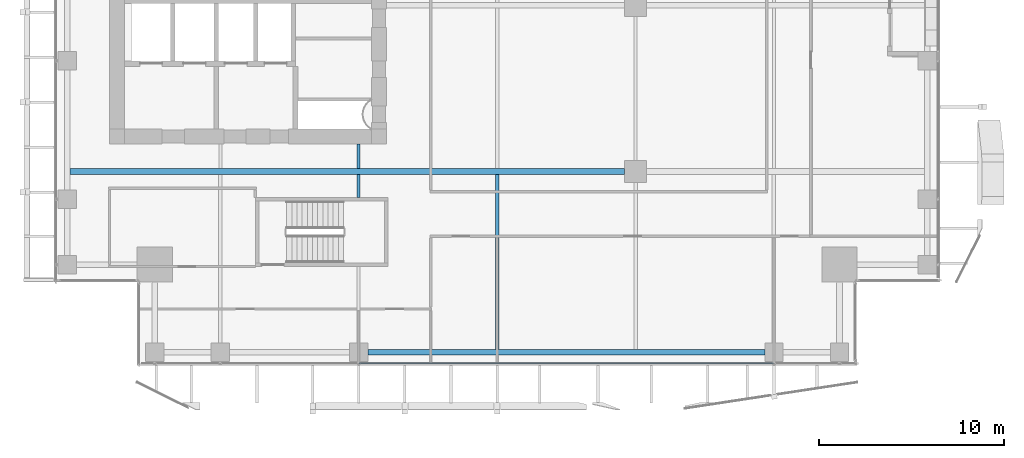
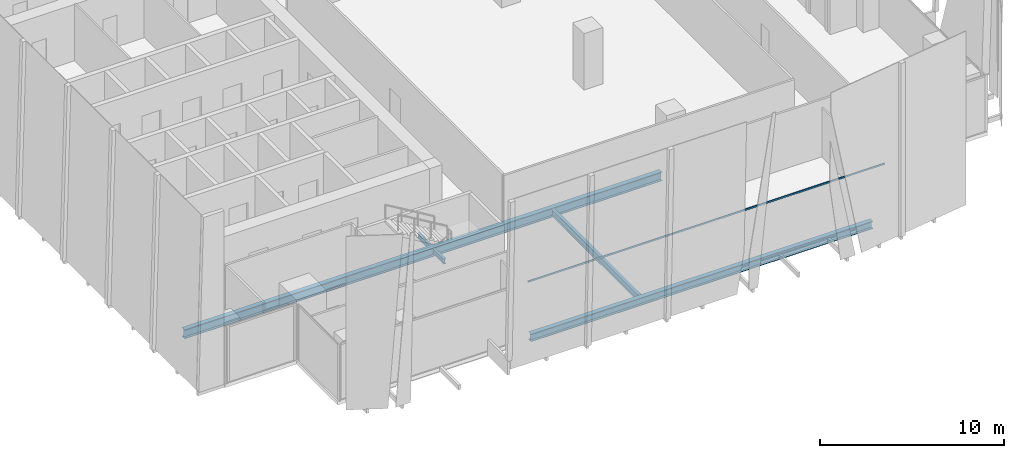
# One storey, part 6 of 35: 5 beams, 1 member, 1 element without a shape of its own.
"""IFC4 building model written with IfcOpenShell, lengths in metres."""

import ifcopenshell
import ifcopenshell.guid

model = None  # the IFC model being written
_history = None  # IfcOwnerHistory: only IFC2X3 demands one
_inside = {}  # id of a spatial element -> (the spatial element, [elements in it])
_under = {}  # id of a project, library or spatial element -> (it, [spatial elements below it])
_declared = {}  # id of a project -> (the project, [libraries it declares])
_typed = {}  # id of a type object -> (the type object, [elements of that type])
_made_of = {}  # id of a material, layer set ... -> (it, [elements and type objects made of it])


def new_model(schema):
    """Start an empty IFC model of exactly this schema.

    Asked for "IFC4X3", IfcOpenShell would pick the latest addendum, in which some entities
    have other attributes; the version numbers below select the first issue.
    IFC2X3 requires an IfcOwnerHistory on every rooted entity: one is made here for all.
    """
    global model, _history
    if schema == "IFC4X3":
        model = ifcopenshell.file(schema_version=(4, 3, 0, 0))
    else:
        model = ifcopenshell.file(schema=schema)
    _inside.clear()
    _under.clear()
    _declared.clear()
    _typed.clear()
    _made_of.clear()
    _history = None
    if model.schema == "IFC2X3":
        org = make("IfcOrganization", Name="unknown")
        user = make(
            "IfcPersonAndOrganization",
            ThePerson=make("IfcPerson", FamilyName="unknown"),
            TheOrganization=org,
        )
        app = make(
            "IfcApplication",
            ApplicationDeveloper=org,
            Version="unknown",
            ApplicationFullName="unknown",
            ApplicationIdentifier="unknown",
        )
        _history = make(
            "IfcOwnerHistory",
            OwningUser=user,
            OwningApplication=app,
            ChangeAction="ADDED",
            CreationDate=0,
        )
    return model


def make(cls, **values):
    """One entity of the class cls with the attributes given. An attribute that is None is left unset."""
    return model.create_entity(
        cls, **{name: value for name, value in values.items() if value is not None}
    )


def rooted(cls, **values):
    """An entity with a GlobalId (a new one), such as an element, a storey or a relation."""
    return make(cls, GlobalId=ifcopenshell.guid.new(), OwnerHistory=_history, **values)


def si_unit(unit_type, name, prefix=None):
    """IfcSIUnit, for example si_unit("LENGTHUNIT", "METRE", prefix="MILLI")."""
    return make("IfcSIUnit", UnitType=unit_type, Prefix=prefix, Name=name)


def assignment(units):
    """IfcUnitAssignment: the units of a project."""
    return None if units is None else make("IfcUnitAssignment", Units=units)


def point(xyz):
    """IfcCartesianPoint."""
    return None if xyz is None else make("IfcCartesianPoint", Coordinates=xyz)


def direction(xyz):
    """IfcDirection."""
    return None if xyz is None else make("IfcDirection", DirectionRatios=xyz)


def frame(location, z_axis=None, x_axis=None):
    """IfcAxis2Placement3D, a coordinate frame: its origin and axes. An axis left out is left unset."""
    return make(
        "IfcAxis2Placement3D",
        Location=point(location),
        Axis=direction(z_axis),
        RefDirection=direction(x_axis),
    )


def frame_2d(location, x_axis=None):
    """IfcAxis2Placement2D, a coordinate frame in the plane: its origin and x axis."""
    return make(
        "IfcAxis2Placement2D", Location=point(location), RefDirection=direction(x_axis)
    )


def origin():
    """The frame at (0, 0, 0) with its axes left unset."""
    return frame((0.0, 0.0, 0.0))


def origin_2d():
    """The frame at (0, 0) in the plane with its x axis left unset."""
    return frame_2d((0.0, 0.0))


def place(relative_to, where):
    """IfcLocalPlacement: puts the frame where relative to a parent placement (None: the world)."""
    return make(
        "IfcLocalPlacement", PlacementRelTo=relative_to, RelativePlacement=where
    )


def context(
    kind, dimensions, precision=None, world=None, true_north=None, identifier=None
):
    """IfcGeometricRepresentationContext, for example the 3D "Model" context."""
    return make(
        "IfcGeometricRepresentationContext",
        ContextIdentifier=identifier,
        ContextType=kind,
        CoordinateSpaceDimension=dimensions,
        Precision=precision,
        WorldCoordinateSystem=world,
        TrueNorth=true_north,
    )


def subcontext(parent, identifier, kind, view, scale=None):
    """IfcGeometricRepresentationSubContext, for example "Body" below "Model"."""
    return make(
        "IfcGeometricRepresentationSubContext",
        ContextIdentifier=identifier,
        ContextType=kind,
        ParentContext=parent,
        TargetScale=scale,
        TargetView=view,
    )


def project(units=None, contexts=None):
    """IfcProject with its units and contexts."""
    return rooted(
        "IfcProject",
        Name="project",
        RepresentationContexts=contexts,
        UnitsInContext=assignment(units),
    )


def spatial(cls, under=None, at=None, **own):
    """A site, building, storey or space (cls), placed at a placement, below another one or the project."""
    s = rooted(cls, ObjectPlacement=at, **own)
    if under is not None:
        _under.setdefault(under.id(), (under, []))[1].append(s)
    return s


def profile(cls, at=None, kind="AREA", **sizes):
    """A parametric profile (cls). Its sizes go by their IFC names, for example OverallWidth=200.0."""
    return make(cls, ProfileType=kind, Position=at, **sizes)


def hollow_rectangle(**sizes):
    """IfcRectangleHollowProfileDef."""
    return profile("IfcRectangleHollowProfileDef", **sizes)


def i_section(**sizes):
    """IfcIShapeProfileDef."""
    return profile("IfcIShapeProfileDef", **sizes)


def extrude(swept, where, along, depth):
    """IfcExtrudedAreaSolid: the profile swept, set in the frame where, extruded along a direction by depth."""
    return make(
        "IfcExtrudedAreaSolid",
        SweptArea=swept,
        Position=where,
        ExtrudedDirection=direction(along),
        Depth=depth,
    )


def shape(context_of_items, identifier, shape_type, items):
    """IfcShapeRepresentation: the items that make up one representation, for example the "Body"."""
    return make(
        "IfcShapeRepresentation",
        ContextOfItems=context_of_items,
        RepresentationIdentifier=identifier,
        RepresentationType=shape_type,
        Items=items,
    )


def source(mapping_origin, context_of_items, identifier, shape_type, items):
    """IfcRepresentationMap: a shape defined once, which mapped items show again and again."""
    return make(
        "IfcRepresentationMap",
        MappingOrigin=mapping_origin,
        MappedRepresentation=shape(context_of_items, identifier, shape_type, items),
    )


def transform(
    local_origin,
    x_axis=None,
    y_axis=None,
    z_axis=None,
    scale=None,
    scale2=None,
    scale3=None,
    uniform=True,
):
    """IfcCartesianTransformationOperator3D, or its non-uniform kind. x_axis, y_axis, z_axis: its Axis1, 2, 3."""
    if uniform:
        return make(
            "IfcCartesianTransformationOperator3D",
            Axis1=direction(x_axis),
            Axis2=direction(y_axis),
            LocalOrigin=point(local_origin),
            Scale=scale,
            Axis3=direction(z_axis),
        )
    return make(
        "IfcCartesianTransformationOperator3DnonUniform",
        Axis1=direction(x_axis),
        Axis2=direction(y_axis),
        LocalOrigin=point(local_origin),
        Scale=scale,
        Axis3=direction(z_axis),
        Scale2=scale2,
        Scale3=scale3,
    )


def mapped(mapping_source, mapping_target):
    """IfcMappedItem: shows the shape of a source again, moved by a transform."""
    return make(
        "IfcMappedItem", MappingSource=mapping_source, MappingTarget=mapping_target
    )


def material(Name=None, Category=None):
    """IfcMaterial."""
    return make("IfcMaterial", Name=Name, Category=Category)


def material_profile(
    of_material, cross_section, Name=None, Category=None, Priority=None
):
    """IfcMaterialProfile: a cross section and its material."""
    return make(
        "IfcMaterialProfile",
        Name=Name,
        Material=of_material,
        Profile=cross_section,
        Priority=Priority,
        Category=Category,
    )


def profile_set(profiles, Name=None, composite=None):
    """IfcMaterialProfileSet."""
    return make(
        "IfcMaterialProfileSet",
        Name=Name,
        MaterialProfiles=profiles,
        CompositeProfile=composite,
    )


def made_of(thing, what):
    """Note that an element or type object is made of a material, layer set ...; save() writes the relation."""
    if what is not None:
        _made_of.setdefault(what.id(), (what, []))[1].append(thing)
    return thing


def type_object(cls, material=None, **own):
    """A type object (cls), such as IfcWallType, which elements share."""
    return made_of(rooted(cls, **own), material)


def element(
    cls,
    number,
    at=None,
    inside=None,
    cuts=None,
    type_object=None,
    material=None,
    context=None,
    identifier="Body",
    shape_type=None,
    held_by="IfcProductDefinitionShape",
    body=None,
    shapes=None,
    **own,
):
    """One element of the class cls, such as IfcWall. Its Tag is "e" and its number.

    at: its placement. inside: the storey or other place that contains it. cuts: it is an
    opening in that element (IfcRelVoidsElement). A single representation is given by context,
    identifier, shape_type and body (its items); several are given by shapes. held_by: the class
    of the entity that holds the representations. save() writes the other relations.
    """
    e = rooted(cls, Tag="e%d" % number, ObjectPlacement=at, **own)
    if body is not None:
        shapes = [shape(context, identifier, shape_type, body)]
    if shapes is not None:
        e.Representation = make(held_by, Representations=shapes)
    if inside is not None:
        _inside.setdefault(inside.id(), (inside, []))[1].append(e)
    if cuts is not None:
        rooted(
            "IfcRelVoidsElement", RelatingBuildingElement=cuts, RelatedOpeningElement=e
        )
    if type_object is not None:
        _typed.setdefault(type_object.id(), (type_object, []))[1].append(e)
    return made_of(e, material)


def aggregate(whole, parts):
    """IfcRelAggregates: a whole, such as a stair, and the parts it consists of."""
    return rooted("IfcRelAggregates", RelatingObject=whole, RelatedObjects=parts)


def save(model, path):
    """Write the relations noted so far, then the file.

    IfcRelAggregates (storeys below a building ...), IfcRelContainedInSpatialStructure (elements
    in a storey), IfcRelDefinesByType, IfcRelAssociatesMaterial and IfcRelDeclares: one each for
    every whole, place, type object, material and project.
    """
    for whole, parts in _under.values():
        aggregate(whole, parts)
    for where, things in _inside.values():
        rooted(
            "IfcRelContainedInSpatialStructure",
            RelatedElements=things,
            RelatingStructure=where,
        )
    for kind, things in _typed.values():
        rooted("IfcRelDefinesByType", RelatedObjects=things, RelatingType=kind)
    for what, things in _made_of.values():
        rooted("IfcRelAssociatesMaterial", RelatedObjects=things, RelatingMaterial=what)
    for by, libraries in _declared.values():
        rooted("IfcRelDeclares", RelatingContext=by, RelatedDefinitions=libraries)
    model.write(path)


model = new_model("IFC4")

# Units and contexts
model_context = context("Model", 3, precision=1e-05, world=origin(), true_north=direction((0.0, 1.0)))
body_context = subcontext(model_context, "Body", "Model", "MODEL_VIEW")
ifc_project = project(units=[si_unit("LENGTHUNIT", "METRE"), si_unit("AREAUNIT", "SQUARE_METRE"), si_unit("VOLUMEUNIT", "CUBIC_METRE"), si_unit("PLANEANGLEUNIT", "RADIAN"), si_unit("MASSUNIT", "GRAM", prefix="KILO")], contexts=[model_context])

# Site, building, storey
site_placement = place(None, origin())
site = spatial("IfcSite", under=ifc_project, at=site_placement, CompositionType="ELEMENT")
building_placement = place(site_placement, origin())
building = spatial("IfcBuilding", under=site, at=building_placement, Name="Khomas Fold Tower", CompositionType="ELEMENT")
storey_placement = place(building_placement, frame((0.0, 0.0, 200.699951171875)))
storey = spatial("IfcBuildingStorey", under=building, at=storey_placement, Name="L44", CompositionType="ELEMENT", Elevation=200.699951171875)

# Beams
ifc_material_1 = material(Name="Steel S355", Category="steel")
ifc_material_profile_1 = material_profile(ifc_material_1, i_section(OverallWidth=0.159912109375, OverallDepth=0.330078125, WebThickness=0.007568359375, FlangeThickness=0.011474609375, at=origin_2d()), Name="IPE 330")
ifc_profile_set_1 = profile_set([ifc_material_profile_1], Name="Steel S355")
beam_type_1 = type_object("IfcBeamType", Name="IPE 330 beam JB1", PredefinedType="BEAM", material=ifc_profile_set_1)
shared_shape_1 = source(origin(), body_context, "Body", "SweptSolid", [
    extrude(i_section(OverallWidth=0.159912109375, OverallDepth=0.330078125, WebThickness=0.007568359375, FlangeThickness=0.011474609375, at=origin_2d()), origin(), (0.0, 0.0, 1.0), 1.25),
])
beam_1_placement = place(storey_placement, frame((19.5, 12.10009765625, -0.4150390625), z_axis=(0.0, 1.0, 0.0), x_axis=(-1.0, 0.0, 0.0)))
element("IfcBeam", 1, at=beam_1_placement, inside=storey, type_object=beam_type_1, Name="JB1", PredefinedType="BEAM", context=body_context, shape_type="MappedRepresentation", body=[
    mapped(shared_shape_1, transform((0.0, 0.0, 0.0))),
])
ifc_material_2 = material(Name="Steel S355", Category="steel")
ifc_material_profile_2 = material_profile(ifc_material_2, i_section(OverallWidth=0.300048828125, OverallDepth=0.5, WebThickness=0.014404296875, FlangeThickness=0.028076171875, at=origin_2d()), Name="HE 500 B")
ifc_profile_set_2 = profile_set([ifc_material_profile_2], Name="Steel S355")
beam_type_2 = type_object("IfcBeamType", Name="HE 500 B spandrel SB3", PredefinedType="SPANDREL", material=ifc_profile_set_2)
shared_shape_2 = source(origin(), body_context, "Body", "SweptSolid", [
    extrude(i_section(OverallWidth=0.300048828125, OverallDepth=0.5, WebThickness=0.014404296875, FlangeThickness=0.028076171875, at=origin_2d()), origin(), (0.0, 0.0, 1.0), 21.5),
])
beam_2_placement = place(storey_placement, frame((20.0, 3.699951171875, -0.5), z_axis=(1.0, 0.0, 0.0), x_axis=(0.0, 1.0, 0.0)))
element("IfcBeam", 2, at=beam_2_placement, inside=storey, type_object=beam_type_2, Name="SB3", PredefinedType="SPANDREL", context=body_context, shape_type="MappedRepresentation", body=[
    mapped(shared_shape_2, transform((0.0, 0.0, 0.0))),
])
ifc_material_3 = material(Name="Steel S355", Category="steel")
ifc_material_profile_3 = material_profile(ifc_material_3, i_section(OverallWidth=0.18994140625, OverallDepth=0.449951171875, WebThickness=0.009521484375, FlangeThickness=0.0146484375, at=origin_2d()), Name="IPE 450")
ifc_profile_set_3 = profile_set([ifc_material_profile_3], Name="Steel S355")
beam_type_3 = type_object("IfcBeamType", Name="IPE 450 beam JB4", PredefinedType="BEAM", material=ifc_profile_set_3)
shared_shape_3 = source(origin(), body_context, "Body", "SweptSolid", [
    extrude(i_section(OverallWidth=0.18994140625, OverallDepth=0.449951171875, WebThickness=0.009521484375, FlangeThickness=0.0146484375, at=origin_2d()), origin(), (0.0, 0.0, 1.0), 9.5),
])
beam_3_placement = place(storey_placement, frame((27.0, 3.85009765625, -0.474853515625), z_axis=(0.0, 1.0, 0.0), x_axis=(-1.0, 0.0, 0.0)))
element("IfcBeam", 3, at=beam_3_placement, inside=storey, type_object=beam_type_3, Name="JB4", PredefinedType="BEAM", context=body_context, shape_type="MappedRepresentation", body=[
    mapped(shared_shape_3, transform((0.0, 0.0, 0.0))),
])
ifc_material_4 = material(Name="Steel S355", Category="steel")
ifc_material_profile_4 = material_profile(ifc_material_4, i_section(OverallWidth=0.300048828125, OverallDepth=0.60009765625, WebThickness=0.015380859375, FlangeThickness=0.030029296875, at=origin_2d()), Name="HE 600 B")
ifc_profile_set_4 = profile_set([ifc_material_profile_4], Name="Steel S355")
beam_type_4 = type_object("IfcBeamType", Name="HE 600 B beam GB5", PredefinedType="BEAM", material=ifc_profile_set_4)
shared_shape_4 = source(origin(), body_context, "Body", "SweptSolid", [
    extrude(i_section(OverallWidth=0.300048828125, OverallDepth=0.60009765625, WebThickness=0.015380859375, FlangeThickness=0.030029296875, at=origin_2d()), origin(), (0.0, 0.0, 1.0), 30.0498046875),
])
beam_4_placement = place(storey_placement, frame((3.85009765625, 13.5, -0.550048828125), z_axis=(1.0, 0.0, 0.0), x_axis=(0.0, 1.0, 0.0)))
element("IfcBeam", 4, at=beam_4_placement, inside=storey, type_object=beam_type_4, Name="GB5", PredefinedType="BEAM", context=body_context, shape_type="MappedRepresentation", body=[
    mapped(shared_shape_4, transform((0.0, 0.0, 0.0))),
])
shared_shape_5 = source(origin(), body_context, "Body", "SweptSolid", [
    extrude(i_section(OverallWidth=0.159912109375, OverallDepth=0.330078125, WebThickness=0.007568359375, FlangeThickness=0.011474609375, at=origin_2d()), origin(), (0.0, 0.0, 1.0), 1.35009765625),
])
beam_5_placement = place(storey_placement, frame((19.5, 13.64990234375, -0.4150390625), z_axis=(0.0, 1.0, 0.0), x_axis=(-1.0, 0.0, 0.0)))
element("IfcBeam", 5, at=beam_5_placement, inside=storey, type_object=beam_type_1, Name="JB1", PredefinedType="BEAM", context=body_context, shape_type="MappedRepresentation", body=[
    mapped(shared_shape_5, transform((0.0, 0.0, 0.0))),
])

# Curtain wall, member
ifc_material_5 = material(Name="Aluminium framed double glazing", Category="aluminium")
curtain_wall_type = type_object("IfcCurtainWallType", Name="SK-Unitised clear-glass wall, office floors CW2", PredefinedType="NOTDEFINED", material=ifc_material_5)
curtain_wall_placement = place(storey_placement, origin())
curtain_wall = element("IfcCurtainWall", 6, at=curtain_wall_placement, inside=storey, type_object=curtain_wall_type, Name="CW2 run L44 00-0", PredefinedType="NOTDEFINED")
ifc_material_6 = material(Name="Aluminium", Category="aluminium")
ifc_material_profile_5 = material_profile(ifc_material_6, hollow_rectangle(XDim=0.050048828125, YDim=0.110107421875, WallThickness=0.00390625, at=origin_2d()), Name="SK-Unitised clear-glass wall, office floors transom CW2-T")
ifc_profile_set_5 = profile_set([ifc_material_profile_5], Name="Aluminium")
member_type = type_object("IfcMemberType", Name="SK-Unitised clear-glass wall, office floors transom CW2-T", PredefinedType="USERDEFINED", material=ifc_profile_set_5)
shared_shape_6 = source(origin(), body_context, "Body", "SweptSolid", [
    extrude(hollow_rectangle(XDim=0.050048828125, YDim=0.110107421875, WallThickness=0.00390625, at=origin_2d()), origin(), (0.0, 0.0, 1.0), 22.43994140625),
])
member_placement = place(storey_placement, frame((19.530029296875, 3.10009765625, 3.695068359375), z_axis=(1.0, 0.0, 0.0), x_axis=(0.0, 1.0, 0.0)))
member = element("IfcMember", 7, at=member_placement, type_object=member_type, Name="CW2 transom 4", ObjectType="TRANSOM", PredefinedType="USERDEFINED", context=body_context, shape_type="MappedRepresentation", body=[
    mapped(shared_shape_6, transform((0.0, 0.0, 0.0))),
])
aggregate(curtain_wall, [member])

save(model, "model.ifc")
